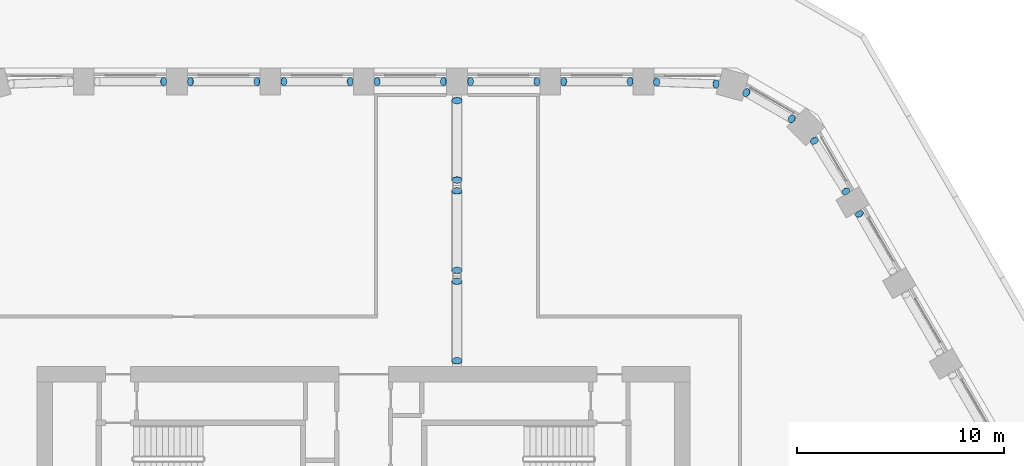
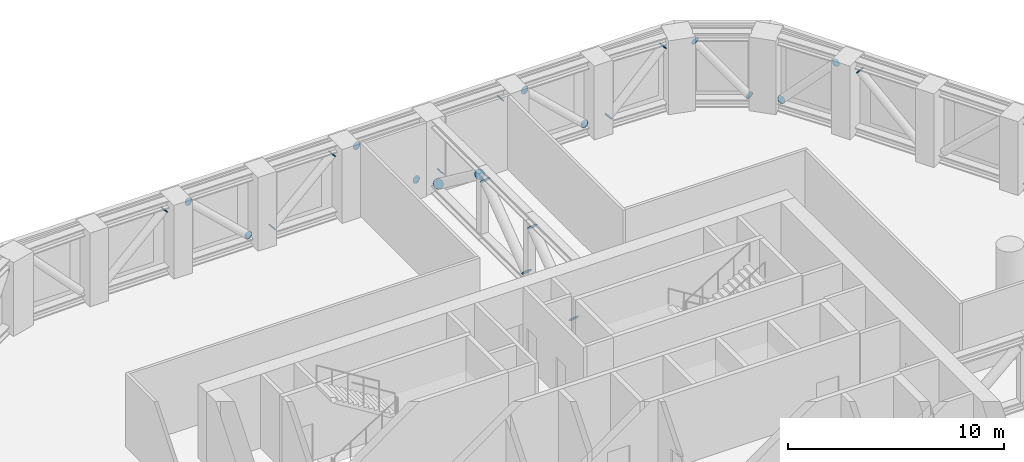
# One storey, part 16 of 18: 24 discrete accessories.
"""IFC4 building model written with IfcOpenShell, lengths in metres."""

from ifc_helpers import new_model, si_unit, direction, frame, origin, origin_2d, place, context, subcontext, project, spatial, circle, extrude, material, material_profile, profile_set, type_object, element, save


model = new_model("IFC4")

# Units and contexts
model_context = context("Model", 3, precision=1e-05, world=origin(), true_north=direction((0.0, 1.0)))
body_context = subcontext(model_context, "Body", "Model", "MODEL_VIEW")
ifc_project = project(units=[si_unit("LENGTHUNIT", "METRE"), si_unit("AREAUNIT", "SQUARE_METRE"), si_unit("VOLUMEUNIT", "CUBIC_METRE"), si_unit("PLANEANGLEUNIT", "RADIAN"), si_unit("MASSUNIT", "GRAM", prefix="KILO")], contexts=[model_context])

# Site, building, storey
site_placement = place(None, origin())
site = spatial("IfcSite", under=ifc_project, at=site_placement, CompositionType="ELEMENT")
building_placement = place(site_placement, origin())
building = spatial("IfcBuilding", under=site, at=building_placement, Name="Dhurran Vertical Campus", CompositionType="ELEMENT")
storey_placement = place(building_placement, frame((0.0, 0.0, 128.10009765625)))
storey = spatial("IfcBuildingStorey", under=building, at=storey_placement, Name="L31 Plant", CompositionType="ELEMENT", Elevation=128.10009765625)

# Discrete accessories
ifc_material_1 = material(Name="Steel S355J2", Category="steel")
ifc_material_profile_1 = material_profile(ifc_material_1, circle(Radius=0.203125, at=origin_2d()), Name="Tube end cap 406 x 20")
ifc_profile_set_1 = profile_set([ifc_material_profile_1], Name="Steel S355J2")
discrete_accessory_type_1 = type_object("IfcDiscreteAccessoryType", Name="Tube end cap 406 x 20", PredefinedType="USERDEFINED", material=ifc_profile_set_1)
for number, where, z_axis, x_axis, name in (
    (1, (23.912353515625, 20.842041015625, 3.59228515625), (-0.354794813064, 0.636183802736, 0.685121018331), (-0.873363874328, -0.487068314529, 0.0), "EC1 belt L31 d20 capB"),
    (2, (21.7373046875, 24.371826171875, 0.574462890625), (-0.363696483727, 0.581914373963, -0.727392967453), (-0.847998304005, -0.529998940003, 0.0), "EC1 belt L31 d21 capA"),
    (3, (23.249755859375, 21.947021484375, 3.600341796875), (0.363696483727, -0.581914373963, 0.727392967453), (0.847998304005, 0.529998940003, 0.0), "EC1 belt L31 d21 capB"),
    (4, (20.63916015625, 25.439697265625, 0.564208984375), (0.550997459976, -0.318354087986, -0.771396443966), (0.500277597875, 0.865865073245, 0.0), "EC1 belt L31 d22 capA"),
    (5, (18.4619140625, 26.69677734375, 3.610595703125), (-0.550997459976, 0.318354087986, 0.771396443966), (-0.500277597875, -0.865865073245, 0.0), "EC1 belt L31 d22 capB"),
    (6, (14.131591796875, 27.211181640625, 0.574462890625), (-0.682115751988, 0.024361276857, -0.730838305701), (-0.035691530512, -0.999362854348, 0.0), "EC1 belt L31 d23 capA"),
):
    element("IfcDiscreteAccessory", number, at=place(storey_placement, frame(where, z_axis=z_axis, x_axis=x_axis)), inside=storey, type_object=discrete_accessory_type_1, Name=name, ObjectType="END CAP", PredefinedType="USERDEFINED", context=body_context, shape_type="SweptSolid", body=[
        extrude(circle(Radius=0.203125, at=origin_2d()), origin(), (0.0, 0.0, 1.0), 0.02001953125),
    ])
discrete_accessory_placement = place(storey_placement, frame((16.988037109375, 27.11376953125, 3.600341796875), z_axis=(0.688548425874, -0.02415959389, 0.724787816709), x_axis=(0.035066140133, 0.999384993792, 0.0)))
element("IfcDiscreteAccessory", 7, at=discrete_accessory_placement, inside=storey, type_object=discrete_accessory_type_1, Name="EC1 belt L31 d23 capB", ObjectType="END CAP", PredefinedType="USERDEFINED", context=body_context, shape_type="SweptSolid", body=[
    extrude(circle(Radius=0.203125, at=origin_2d()), origin(), (0.0, 0.0, 1.0), 0.020263671875),
])
for number, where, z_axis, x_axis, name in (
    (8, (12.843505859375, 27.232666015625, 0.58251953125), (0.731055268243, 0.0, -0.68231825036), (0.0, 1.0, 0.0), "EC1 belt L31 d24 capA"),
    (9, (9.656494140625, 27.232666015625, 3.59228515625), (-0.731055268243, 0.0, 0.68231825036), (0.0, -1.0, 0.0), "EC1 belt L31 d24 capB"),
    (10, (5.156494140625, 27.232666015625, 0.58251953125), (-0.731055268243, 0.0, -0.68231825036), (0.0, -1.0, 0.0), "EC1 belt L31 d25 capA"),
    (11, (8.343505859375, 27.232666015625, 3.59228515625), (0.731055268243, 0.0, 0.68231825036), (0.0, 1.0, 0.0), "EC1 belt L31 d25 capB"),
    (12, (3.843505859375, 27.232666015625, 0.58251953125), (0.731055268243, 0.0, -0.68231825036), (0.0, 1.0, 0.0), "EC1 belt L31 d26 capA"),
    (13, (0.656494140625, 27.232666015625, 3.59228515625), (-0.731055268243, 0.0, 0.68231825036), (0.0, -1.0, 0.0), "EC1 belt L31 d26 capB"),
    (14, (-3.843505859375, 27.232666015625, 0.58251953125), (-0.731055268243, 0.0, -0.68231825036), (0.0, -1.0, 0.0), "EC1 belt L31 d27 capA"),
    (15, (-0.656494140625, 27.232666015625, 3.59228515625), (0.731055268243, 0.0, 0.68231825036), (0.0, 1.0, 0.0), "EC1 belt L31 d27 capB"),
    (16, (-5.156494140625, 27.232666015625, 0.58251953125), (0.731055268243, 0.0, -0.68231825036), (0.0, 1.0, 0.0), "EC1 belt L31 d28 capA"),
    (17, (-8.343505859375, 27.232666015625, 3.59228515625), (-0.731055268243, 0.0, 0.68231825036), (0.0, -1.0, 0.0), "EC1 belt L31 d28 capB"),
    (18, (-9.656494140625, 27.232666015625, 3.59228515625), (0.731055268243, 0.0, 0.68231825036), (0.0, 1.0, 0.0), "EC1 belt L31 d29 capB"),
):
    element("IfcDiscreteAccessory", number, at=place(storey_placement, frame(where, z_axis=z_axis, x_axis=x_axis)), inside=storey, type_object=discrete_accessory_type_1, Name=name, ObjectType="END CAP", PredefinedType="USERDEFINED", context=body_context, shape_type="SweptSolid", body=[
        extrude(circle(Radius=0.203125, at=origin_2d()), origin(), (0.0, 0.0, 1.0), 0.02001953125),
    ])
ifc_material_2 = material(Name="Steel S355J2", Category="steel")
ifc_material_profile_2 = material_profile(ifc_material_2, circle(Radius=0.25390625, at=origin_2d()), Name="Tube end cap 508 x 20")
ifc_profile_set_2 = profile_set([ifc_material_profile_2], Name="Steel S355J2")
discrete_accessory_type_2 = type_object("IfcDiscreteAccessoryType", Name="Tube end cap 508 x 20", PredefinedType="USERDEFINED", material=ifc_profile_set_2)
for number, where, z_axis, x_axis, name in (
    (19, (4.5, 13.771484375, 0.658203125), (0.0, -0.798523388242, -0.601963784982), (1.0, 0.0, 0.0), "EC1 outrigger L31 OR-N d0 capA"),
    (20, (4.5, 17.58935546875, 3.5166015625), (0.0, 0.798523388242, 0.601963784982), (-1.0, 0.0, 0.0), "EC1 outrigger L31 OR-N d0 capB"),
):
    element("IfcDiscreteAccessory", number, at=place(storey_placement, frame(where, z_axis=z_axis, x_axis=x_axis)), inside=storey, type_object=discrete_accessory_type_2, Name=name, ObjectType="END CAP", PredefinedType="USERDEFINED", context=body_context, shape_type="SweptSolid", body=[
        extrude(circle(Radius=0.25390625, at=origin_2d()), origin(), (0.0, 0.0, 1.0), 0.019775390625),
    ])
for number, where, z_axis, x_axis, name in (
    (21, (4.5, 18.132568359375, 0.658203125), (0.0, -0.802910201746, -0.596099998266), (1.0, 0.0, 0.0), "EC1 outrigger L31 OR-N d1 capA"),
    (22, (4.5, 21.9501953125, 3.5166015625), (0.0, 0.802910201746, 0.596099998266), (-1.0, 0.0, 0.0), "EC1 outrigger L31 OR-N d1 capB"),
    (23, (4.5, 26.31103515625, 0.658203125), (0.0, 0.802910201746, -0.596099998266), (-1.0, 0.0, 0.0), "EC1 outrigger L31 OR-N d2 capA"),
    (24, (4.5, 22.493408203125, 3.5166015625), (0.0, -0.802910201746, 0.596099998266), (1.0, 0.0, 0.0), "EC1 outrigger L31 OR-N d2 capB"),
):
    element("IfcDiscreteAccessory", number, at=place(storey_placement, frame(where, z_axis=z_axis, x_axis=x_axis)), inside=storey, type_object=discrete_accessory_type_2, Name=name, ObjectType="END CAP", PredefinedType="USERDEFINED", context=body_context, shape_type="SweptSolid", body=[
        extrude(circle(Radius=0.25390625, at=origin_2d()), origin(), (0.0, 0.0, 1.0), 0.02001953125),
    ])

save(model, "model.ifc")
